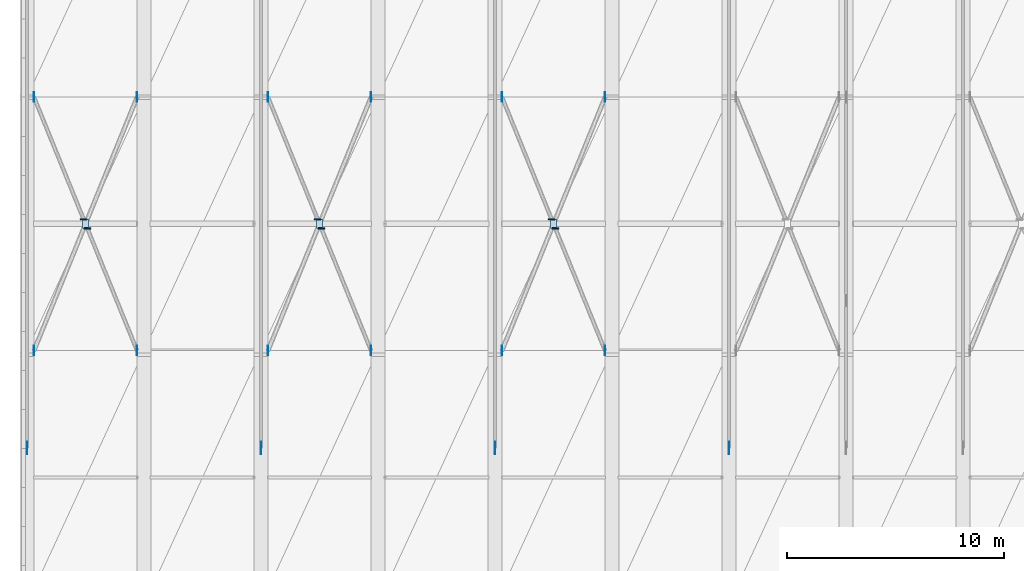
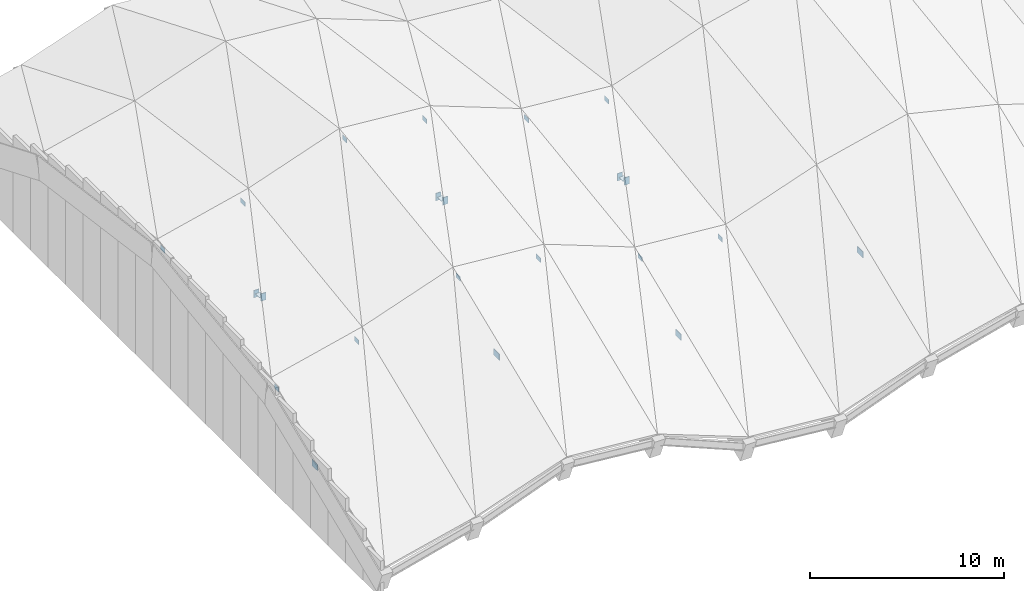
# One storey, part 9 of 22: 25 plates.
"""IFC4 building model written with IfcOpenShell, lengths in metres."""

from ifc_helpers import new_model, si_unit, direction, frame, origin, origin_2d, place, context, subcontext, project, spatial, rectangle, extrude, material, layer, layer_set, type_object, element, save


model = new_model("IFC4")

# Units and contexts
model_context = context("Model", 3, precision=1e-05, world=origin(), true_north=direction((0.0, 1.0)))
body_context = subcontext(model_context, "Body", "Model", "MODEL_VIEW")
ifc_project = project(units=[si_unit("LENGTHUNIT", "METRE"), si_unit("AREAUNIT", "SQUARE_METRE"), si_unit("VOLUMEUNIT", "CUBIC_METRE"), si_unit("PLANEANGLEUNIT", "RADIAN"), si_unit("MASSUNIT", "GRAM", prefix="KILO")], contexts=[model_context])

# Site, building, storey
site_placement = place(None, origin())
site = spatial("IfcSite", under=ifc_project, at=site_placement, CompositionType="ELEMENT")
building_placement = place(site_placement, origin())
building = spatial("IfcBuilding", under=site, at=building_placement, Name="Lusvemor Sports Hall", CompositionType="ELEMENT")
storey_placement = place(building_placement, frame((0.0, 0.0, 23.39990234375)))
storey = spatial("IfcBuildingStorey", under=building, at=storey_placement, Name="Roof", CompositionType="ELEMENT", Elevation=23.39990234375)

# Plates
ifc_material_1 = material(Name="Steel S355", Category="steel")
ifc_layer_1 = layer(ifc_material_1, 0.0400390625)
ifc_layer_set_1 = layer_set([ifc_layer_1], Name="Steel S355")
plate_type_1 = type_object("IfcPlateType", Name="GUSSET_ARCH_A", PredefinedType="USERDEFINED", material=ifc_layer_set_1)
for number, where, z_axis, x_axis, name in (
    (1, (0.0, 7.199951171875, -9.09716796875), (0.0, 0.0, 1.0), (1.0, 0.0, 0.0), "Arch Springing Gusset S00-S"),
    (2, (10.800048828125, 7.199951171875, -5.941650390625), (0.0, 0.0, 1.0), (1.0, 0.0, 0.0), "Arch Springing Gusset S02-S"),
    (3, (21.60009765625, 7.199951171875, -8.47216796875), (0.0, 0.0, 1.0), (1.0, 0.0, 0.0), "Arch Springing Gusset S04-S"),
    (4, (32.39990234375, 7.199951171875, -7.06787109375), (0.0, 0.0, 1.0), (1.0, 0.0, 0.0), "Arch Springing Gusset S06-S"),
):
    element("IfcPlate", number, at=place(storey_placement, frame(where, z_axis=z_axis, x_axis=x_axis)), inside=storey, type_object=plate_type_1, Name=name, ObjectType="GUSSET_PLATE", PredefinedType="USERDEFINED", context=body_context, shape_type="SweptSolid", body=[
        extrude(rectangle(XDim=0.0400390625, YDim=0.580078125, at=origin_2d()), origin(), (0.0, 0.0, 1.0), 0.3798828125),
    ])
ifc_material_2 = material(Name="Steel S355", Category="steel")
ifc_layer_2 = layer(ifc_material_2, 0.02001953125)
ifc_layer_set_2 = layer_set([ifc_layer_2], Name="Steel S355")
plate_type_2 = type_object("IfcPlateType", Name="GUSSET_BRACE_C", PredefinedType="USERDEFINED", material=ifc_layer_set_2)
plate_1_placement = place(storey_placement, frame((2.699951171875, 17.550048828125, -5.458251953125), z_axis=(0.0, 0.0, 1.0), x_axis=(1.0, 0.0, 0.0)))
element("IfcPlate", 5, at=plate_1_placement, inside=storey, type_object=plate_type_2, Name="Brace Node Gusset V1-01", ObjectType="GUSSET_PLATE", PredefinedType="USERDEFINED", context=body_context, shape_type="SweptSolid", body=[
    extrude(rectangle(XDim=0.2900390625, YDim=0.43994140625, at=origin_2d()), origin(), (0.0, 0.0, 1.0), 0.02001953125),
])
for number, where, z_axis, x_axis, name in (
    (6, (0.320068359375, 11.699951171875, -7.04248046875), (0.0, 0.0, 1.0), (1.0, 0.0, 0.0), "Wave Brace Rib Gusset V1-01-A0"),
    (7, (5.080078125, 23.39990234375, -4.144287109375), (0.0, 0.0, 1.0), (1.0, 0.0, 0.0), "Wave Brace Rib Gusset V1-01-A1"),
    (8, (0.320068359375, 23.39990234375, -5.434814453125), (0.0, 0.0, 1.0), (1.0, 0.0, 0.0), "Wave Brace Rib Gusset V1-01-B0"),
    (9, (5.080078125, 11.699951171875, -5.751708984375), (0.0, 0.0, 1.0), (1.0, 0.0, 0.0), "Wave Brace Rib Gusset V1-01-B1"),
):
    element("IfcPlate", number, at=place(storey_placement, frame(where, z_axis=z_axis, x_axis=x_axis)), inside=storey, type_object=plate_type_2, Name=name, ObjectType="GUSSET_PLATE", PredefinedType="USERDEFINED", context=body_context, shape_type="SweptSolid", body=[
        extrude(rectangle(XDim=0.02001953125, YDim=0.43994140625, at=origin_2d()), origin(), (0.0, 0.0, 1.0), 0.2900390625),
    ])
plate_2_placement = place(storey_placement, frame((13.5, 17.550048828125, -3.178466796875), z_axis=(0.0, 0.0, 1.0), x_axis=(1.0, 0.0, 0.0)))
element("IfcPlate", 10, at=plate_2_placement, inside=storey, type_object=plate_type_2, Name="Brace Node Gusset V1-03", ObjectType="GUSSET_PLATE", PredefinedType="USERDEFINED", context=body_context, shape_type="SweptSolid", body=[
    extrude(rectangle(XDim=0.2900390625, YDim=0.43994140625, at=origin_2d()), origin(), (0.0, 0.0, 1.0), 0.02001953125),
])
for number, where, z_axis, x_axis, name in (
    (11, (11.1201171875, 11.699951171875, -3.88671875), (0.0, 0.0, 1.0), (1.0, 0.0, 0.0), "Wave Brace Rib Gusset V1-03-A0"),
    (12, (15.8798828125, 23.39990234375, -2.739990234375), (0.0, 0.0, 1.0), (1.0, 0.0, 0.0), "Wave Brace Rib Gusset V1-03-A1"),
    (13, (11.1201171875, 23.39990234375, -2.279296875), (0.0, 0.0, 1.0), (1.0, 0.0, 0.0), "Wave Brace Rib Gusset V1-03-B0"),
    (14, (15.8798828125, 11.699951171875, -4.347412109375), (0.0, 0.0, 1.0), (1.0, 0.0, 0.0), "Wave Brace Rib Gusset V1-03-B1"),
):
    element("IfcPlate", number, at=place(storey_placement, frame(where, z_axis=z_axis, x_axis=x_axis)), inside=storey, type_object=plate_type_2, Name=name, ObjectType="GUSSET_PLATE", PredefinedType="USERDEFINED", context=body_context, shape_type="SweptSolid", body=[
        extrude(rectangle(XDim=0.02001953125, YDim=0.43994140625, at=origin_2d()), origin(), (0.0, 0.0, 1.0), 0.2900390625),
    ])
plate_3_placement = place(storey_placement, frame((24.300048828125, 17.550048828125, -5.708984375), z_axis=(0.0, 0.0, 1.0), x_axis=(1.0, 0.0, 0.0)))
element("IfcPlate", 15, at=plate_3_placement, inside=storey, type_object=plate_type_2, Name="Brace Node Gusset V1-05", ObjectType="GUSSET_PLATE", PredefinedType="USERDEFINED", context=body_context, shape_type="SweptSolid", body=[
    extrude(rectangle(XDim=0.2900390625, YDim=0.43994140625, at=origin_2d()), origin(), (0.0, 0.0, 1.0), 0.02001953125),
])
for number, where, z_axis, x_axis, name in (
    (16, (21.919921875, 11.699951171875, -6.41748046875), (0.0, 0.0, 1.0), (1.0, 0.0, 0.0), "Wave Brace Rib Gusset V1-05-A0"),
    (17, (26.679931640625, 23.39990234375, -5.2705078125), (0.0, 0.0, 1.0), (1.0, 0.0, 0.0), "Wave Brace Rib Gusset V1-05-A1"),
    (18, (21.919921875, 23.39990234375, -4.809814453125), (0.0, 0.0, 1.0), (1.0, 0.0, 0.0), "Wave Brace Rib Gusset V1-05-B0"),
    (19, (26.679931640625, 11.699951171875, -6.8779296875), (0.0, 0.0, 1.0), (1.0, 0.0, 0.0), "Wave Brace Rib Gusset V1-05-B1"),
):
    element("IfcPlate", number, at=place(storey_placement, frame(where, z_axis=z_axis, x_axis=x_axis)), inside=storey, type_object=plate_type_2, Name=name, ObjectType="GUSSET_PLATE", PredefinedType="USERDEFINED", context=body_context, shape_type="SweptSolid", body=[
        extrude(rectangle(XDim=0.02001953125, YDim=0.43994140625, at=origin_2d()), origin(), (0.0, 0.0, 1.0), 0.2900390625),
    ])
ifc_material_3 = material(Name="Steel S355", Category="steel")
ifc_layer_3 = layer(ifc_material_3, 0.050048828125)
ifc_layer_set_3 = layer_set([ifc_layer_3], Name="Steel S355")
plate_type_3 = type_object("IfcPlateType", Name="GUSSET_SAW_E", PredefinedType="USERDEFINED", material=ifc_layer_set_3)
for number, where, z_axis, x_axis, name in (
    (20, (2.61328125, 17.762939453125, -5.672607421875), (0.0, 0.0, 1.0), (1.0, 0.0, 0.0), "X-Brace Splice End Gusset V1-01-1"),
    (21, (2.78662109375, 17.3369140625, -5.68408203125), (0.0, 0.0, 1.0), (1.0, 0.0, 0.0), "X-Brace Splice End Gusset V1-01-2"),
    (22, (13.41455078125, 17.76025390625, -3.361083984375), (0.0, 0.0, 1.0), (1.0, 0.0, 0.0), "X-Brace Splice End Gusset V1-03-1"),
    (23, (13.58544921875, 17.33984375, -3.435546875), (0.0, 0.0, 1.0), (1.0, 0.0, 0.0), "X-Brace Splice End Gusset V1-03-2"),
    (24, (24.21435546875, 17.76025390625, -5.891845703125), (0.0, 0.0, 1.0), (1.0, 0.0, 0.0), "X-Brace Splice End Gusset V1-05-1"),
    (25, (24.385498046875, 17.33984375, -5.966064453125), (0.0, 0.0, 1.0), (1.0, 0.0, 0.0), "X-Brace Splice End Gusset V1-05-2"),
):
    element("IfcPlate", number, at=place(storey_placement, frame(where, z_axis=z_axis, x_axis=x_axis)), inside=storey, type_object=plate_type_3, Name=name, ObjectType="GUSSET_PLATE", PredefinedType="USERDEFINED", context=body_context, shape_type="SweptSolid", body=[
        extrude(rectangle(XDim=0.300048828125, YDim=0.050048828125, at=origin_2d()), origin(), (0.0, 0.0, 1.0), 0.4599609375),
    ])

save(model, "model.ifc")
